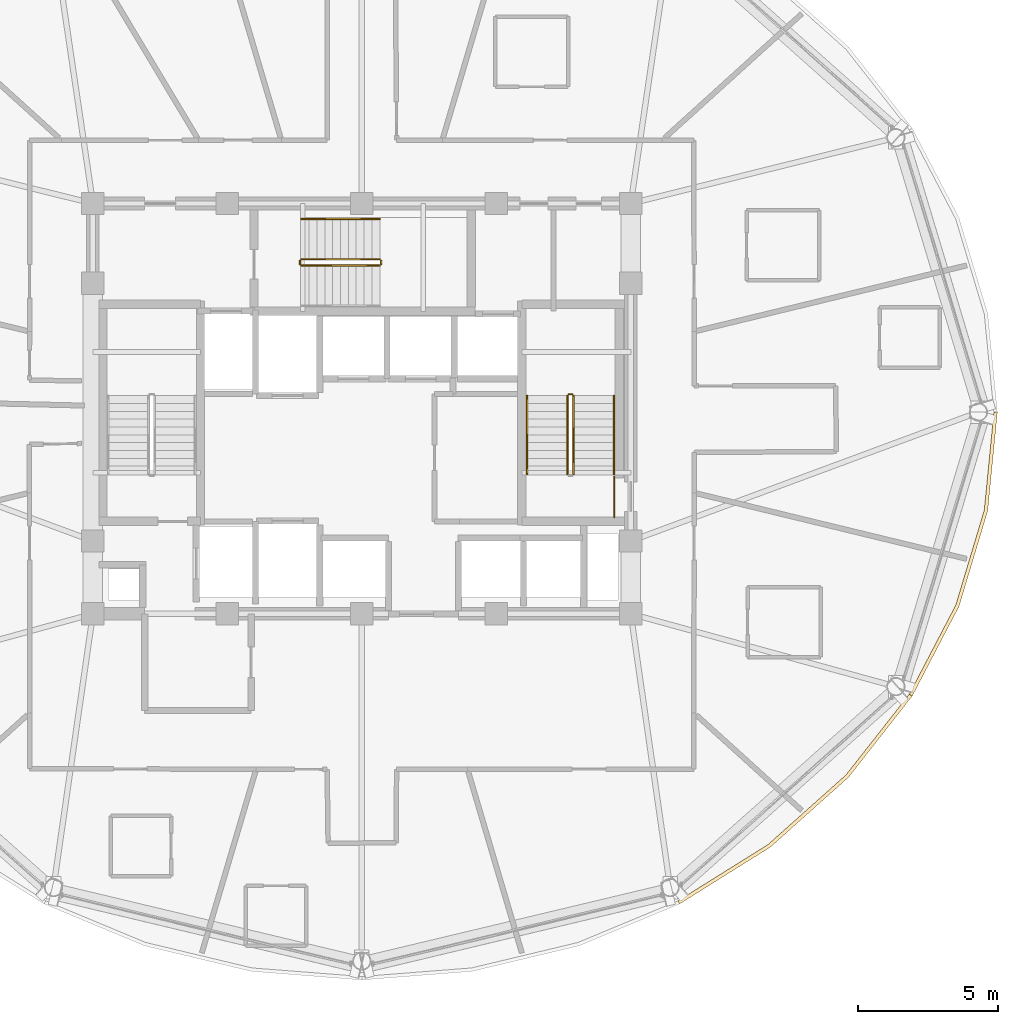
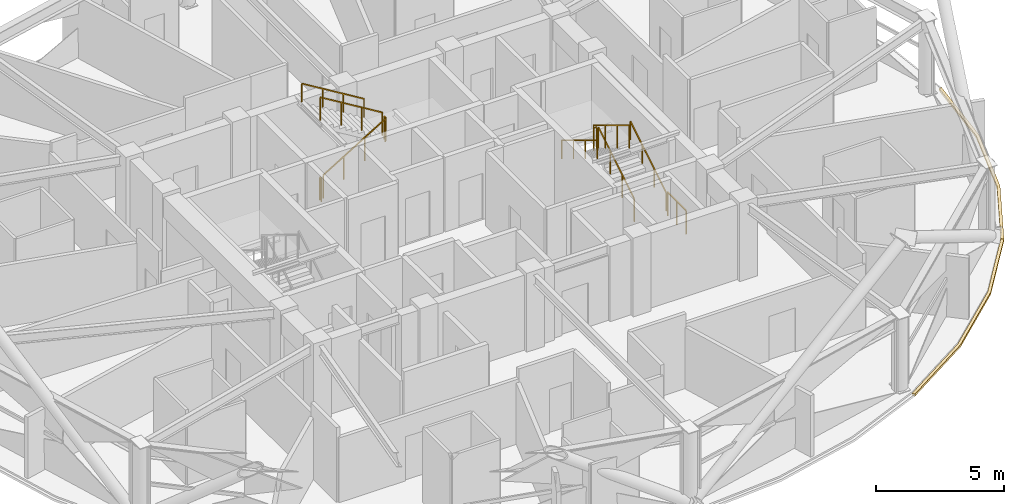
# One storey, part 28 of 29: 11 railings, 2 coverings.
"""IFC4 building model written with IfcOpenShell, lengths in metres."""

from ifc_helpers import new_model, si_unit, direction, frame, origin, origin_2d, place, context, subcontext, project, spatial, polyline, rectangle, outline, extrude, material, layer, layer_set, type_object, element, save


model = new_model("IFC4")

# Units and contexts
model_context = context("Model", 3, precision=1e-05, world=origin(), true_north=direction((0.0, 1.0)))
body_context = subcontext(model_context, "Body", "Model", "MODEL_VIEW")
ifc_project = project(units=[si_unit("LENGTHUNIT", "METRE"), si_unit("AREAUNIT", "SQUARE_METRE"), si_unit("VOLUMEUNIT", "CUBIC_METRE"), si_unit("PLANEANGLEUNIT", "RADIAN"), si_unit("MASSUNIT", "GRAM", prefix="KILO")], contexts=[model_context])

# Site, building, storey
site_placement = place(None, origin())
site = spatial("IfcSite", under=ifc_project, at=site_placement, CompositionType="ELEMENT")
building_placement = place(site_placement, origin())
building = spatial("IfcBuilding", under=site, at=building_placement, Name="Vantalir Tower", CompositionType="ELEMENT")
storey_placement = place(building_placement, frame((0.0, 0.0, 219.89990234375)))
storey = spatial("IfcBuildingStorey", under=building, at=storey_placement, Name="L55", CompositionType="ELEMENT", Elevation=219.89990234375)

# Coverings
ifc_material_1 = material(Name="Anodised champagne aluminium sill fascia", Category="aluminium")
ifc_layer = layer(ifc_material_1, 0.125)
ifc_layer_set = layer_set([ifc_layer], Name="Anodised champagne aluminium sill fascia")
covering_type = type_object("IfcCoveringType", Name="COV-SLAB-FASCIA-125", PredefinedType="CLADDING", material=ifc_layer_set)
covering_1_placement = place(storey_placement, frame((0.0, 0.0, -0.179931640625)))
element("IfcCovering", 1, at=covering_1_placement, inside=storey, type_object=covering_type, Name="L55 Perimeter Slab-Edge Sill Fascia 11", PredefinedType="CLADDING", context=body_context, shape_type="SweptSolid", body=[
    extrude(outline(polyline([(42.843994140625, 7.445068359375), (46.083984375, 9.471923828125), (48.8798828125, 11.969970703125), (51.14794921875, 14.864013671875), (51.0400390625, 14.927001953125), (48.783935546875, 12.050048828125), (46.0029296875, 9.56689453125), (42.781982421875, 7.552978515625), (42.843994140625, 7.445068359375)])), origin(), (0.0, 0.0, 1.0), 0.10498046875),
])
covering_2_placement = place(storey_placement, frame((0.0, 0.0, -0.179931640625)))
element("IfcCovering", 2, at=covering_2_placement, inside=storey, type_object=covering_type, Name="L55 Perimeter Slab-Edge Sill Fascia 12", PredefinedType="CLADDING", context=body_context, shape_type="SweptSolid", body=[
    extrude(outline(polyline([(51.14794921875, 14.864013671875), (52.820068359375, 18.06689453125), (53.843017578125, 21.47998046875), (54.18798828125, 25.0), (54.06298828125, 25.0), (53.719970703125, 21.501953125), (52.701904296875, 18.110107421875), (51.0400390625, 14.927001953125), (51.14794921875, 14.864013671875)])), origin(), (0.0, 0.0, 1.0), 0.10498046875),
])

# Railings
ifc_material_2 = material(Name="Anodised aluminium and stainless steel guard", Category="steel")
railing_type_1 = type_object("IfcRailingType", Name="RAL-GUARD-1120", PredefinedType="GUARDRAIL", material=ifc_material_2)
railing_1_placement = place(storey_placement, frame((39.06005859375, 22.7900390625, 0.170654296875)))
element("IfcRailing", 3, at=railing_1_placement, inside=storey, type_object=railing_type_1, Name="L55 ST2 stair guard 1", PredefinedType="GUARDRAIL", context=body_context, shape_type="SweptSolid", body=[
    extrude(rectangle(XDim=0.048095703125, YDim=0.048095703125, at=origin_2d()), frame((0.0, 0.0, 1.09619140625), z_axis=(0.0, 0.854202870247, 0.519939858505), x_axis=(-1.0, 0.0, 0.0)), (0.0, 0.0, 1.0), 3.278076171875),
    extrude(rectangle(XDim=0.0419921875, YDim=0.0419921875, at=origin_2d()), origin(), (0.0, 0.0, 1.0), 1.072021484375),
    extrude(rectangle(XDim=0.0419921875, YDim=0.0419921875, at=origin_2d()), frame((0.0, 0.933349609375, 0.568115234375)), (0.0, 0.0, 1.0), 1.072021484375),
    extrude(rectangle(XDim=0.0419921875, YDim=0.0419921875, at=origin_2d()), frame((0.0, 1.86669921875, 1.13623046875)), (0.0, 0.0, 1.0), 1.072021484375),
    extrude(rectangle(XDim=0.0419921875, YDim=0.0419921875, at=origin_2d()), frame((0.0, 2.800048828125, 1.704345703125)), (0.0, 0.0, 1.0), 1.072021484375),
])
railing_2_placement = place(storey_placement, frame((39.010009765625, 25.639892578125, 1.875)))
element("IfcRailing", 4, at=railing_2_placement, inside=storey, type_object=railing_type_1, Name="L55 ST2 stair guard 2", PredefinedType="GUARDRAIL", context=body_context, shape_type="SweptSolid", body=[
    extrude(rectangle(XDim=0.048095703125, YDim=0.048095703125, at=origin_2d()), frame((0.0, 0.0, 1.09619140625), z_axis=(-1.0, 0.0, 0.0), x_axis=(0.0, -1.0, 0.0)), (0.0, 0.0, 1.0), 0.1201171875),
    extrude(rectangle(XDim=0.0419921875, YDim=0.0419921875, at=origin_2d()), origin(), (0.0, 0.0, 1.0), 1.072021484375),
    extrude(rectangle(XDim=0.0419921875, YDim=0.0419921875, at=origin_2d()), frame((-0.1201171875, 0.0, 0.0)), (0.0, 0.0, 1.0), 1.072021484375),
])
railing_3_placement = place(storey_placement, frame((38.840087890625, 25.590087890625, 2.045654296875)))
element("IfcRailing", 5, at=railing_3_placement, inside=storey, type_object=railing_type_1, Name="L55 ST2 stair guard 3", PredefinedType="GUARDRAIL", context=body_context, shape_type="SweptSolid", body=[
    extrude(rectangle(XDim=0.048095703125, YDim=0.048095703125, at=origin_2d()), frame((0.0, 0.0, 1.09619140625), z_axis=(0.0, -0.854202870247, 0.519939858505), x_axis=(1.0, 0.0, 0.0)), (0.0, 0.0, 1.0), 3.278076171875),
    extrude(rectangle(XDim=0.0419921875, YDim=0.0419921875, at=origin_2d()), origin(), (0.0, 0.0, 1.0), 1.072021484375),
    extrude(rectangle(XDim=0.0419921875, YDim=0.0419921875, at=origin_2d()), frame((0.0, -0.933349609375, 0.568115234375)), (0.0, 0.0, 1.0), 1.072021484375),
    extrude(rectangle(XDim=0.0419921875, YDim=0.0419921875, at=origin_2d()), frame((0.0, -1.86669921875, 1.13623046875)), (0.0, 0.0, 1.0), 1.072021484375),
    extrude(rectangle(XDim=0.0419921875, YDim=0.0419921875, at=origin_2d()), frame((0.0, -2.800048828125, 1.704345703125)), (0.0, 0.0, 1.0), 1.072021484375),
])
railing_4_placement = place(storey_placement, frame((29.340087890625, 30.239990234375, 0.170654296875)))
element("IfcRailing", 6, at=railing_4_placement, inside=storey, type_object=railing_type_1, Name="L55 ST3 stair guard 1", PredefinedType="GUARDRAIL", context=body_context, shape_type="SweptSolid", body=[
    extrude(rectangle(XDim=0.048095703125, YDim=0.048095703125, at=origin_2d()), frame((0.0, 0.0, 1.09619140625), z_axis=(0.854182733786, 0.0, 0.519972939009), x_axis=(0.0, 1.0, 0.0)), (0.0, 0.0, 1.0), 3.27783203125),
    extrude(rectangle(XDim=0.0419921875, YDim=0.0419921875, at=origin_2d()), origin(), (0.0, 0.0, 1.0), 1.072021484375),
    extrude(rectangle(XDim=0.0419921875, YDim=0.0419921875, at=origin_2d()), frame((0.933349609375, 0.0, 0.568115234375)), (0.0, 0.0, 1.0), 1.072021484375),
    extrude(rectangle(XDim=0.0419921875, YDim=0.0419921875, at=origin_2d()), frame((1.866455078125, 0.0, 1.13623046875)), (0.0, 0.0, 1.0), 1.072021484375),
    extrude(rectangle(XDim=0.0419921875, YDim=0.0419921875, at=origin_2d()), frame((2.7998046875, 0.0, 1.704345703125)), (0.0, 0.0, 1.0), 1.072021484375),
])
railing_5_placement = place(storey_placement, frame((32.18994140625, 30.2900390625, 1.875)))
element("IfcRailing", 7, at=railing_5_placement, inside=storey, type_object=railing_type_1, Name="L55 ST3 stair guard 2", PredefinedType="GUARDRAIL", context=body_context, shape_type="SweptSolid", body=[
    extrude(rectangle(XDim=0.048095703125, YDim=0.048095703125, at=origin_2d()), frame((0.0, 0.0, 1.09619140625), z_axis=(0.0, 1.0, 0.0), x_axis=(-1.0, 0.0, 0.0)), (0.0, 0.0, 1.0), 0.119873046875),
    extrude(rectangle(XDim=0.0419921875, YDim=0.0419921875, at=origin_2d()), origin(), (0.0, 0.0, 1.0), 1.072021484375),
    extrude(rectangle(XDim=0.0419921875, YDim=0.0419921875, at=origin_2d()), frame((0.0, 0.119873046875, 0.0)), (0.0, 0.0, 1.0), 1.072021484375),
])
railing_6_placement = place(storey_placement, frame((32.139892578125, 30.4599609375, 2.045654296875)))
element("IfcRailing", 8, at=railing_6_placement, inside=storey, type_object=railing_type_1, Name="L55 ST3 stair guard 3", PredefinedType="GUARDRAIL", context=body_context, shape_type="SweptSolid", body=[
    extrude(rectangle(XDim=0.048095703125, YDim=0.048095703125, at=origin_2d()), frame((0.0, 0.0, 1.09619140625), z_axis=(-0.854182733786, 0.0, 0.519972939009), x_axis=(0.0, -1.0, 0.0)), (0.0, 0.0, 1.0), 3.27783203125),
    extrude(rectangle(XDim=0.0419921875, YDim=0.0419921875, at=origin_2d()), origin(), (0.0, 0.0, 1.0), 1.072021484375),
    extrude(rectangle(XDim=0.0419921875, YDim=0.0419921875, at=origin_2d()), frame((-0.933349609375, 0.0, 0.568115234375)), (0.0, 0.0, 1.0), 1.072021484375),
    extrude(rectangle(XDim=0.0419921875, YDim=0.0419921875, at=origin_2d()), frame((-1.866455078125, 0.0, 1.13623046875)), (0.0, 0.0, 1.0), 1.072021484375),
    extrude(rectangle(XDim=0.0419921875, YDim=0.0419921875, at=origin_2d()), frame((-2.7998046875, 0.0, 1.704345703125)), (0.0, 0.0, 1.0), 1.072021484375),
])
railing_7_placement = place(storey_placement, frame((29.2900390625, 30.2900390625, 0.0)))
element("IfcRailing", 9, at=railing_7_placement, inside=storey, type_object=railing_type_1, Name="L55 ST3 stair guard 4", PredefinedType="GUARDRAIL", context=body_context, shape_type="SweptSolid", body=[
    extrude(rectangle(XDim=0.048095703125, YDim=0.048095703125, at=origin_2d()), frame((0.0, 0.0, 1.09619140625), z_axis=(0.0, 1.0, 0.0), x_axis=(-1.0, 0.0, 0.0)), (0.0, 0.0, 1.0), 0.119873046875),
    extrude(rectangle(XDim=0.0419921875, YDim=0.0419921875, at=origin_2d()), origin(), (0.0, 0.0, 1.0), 1.072021484375),
    extrude(rectangle(XDim=0.0419921875, YDim=0.0419921875, at=origin_2d()), frame((0.0, 0.119873046875, 0.0)), (0.0, 0.0, 1.0), 1.072021484375),
])
railing_8_placement = place(storey_placement, frame((40.510009765625, 21.260009765625, 0.0)))
element("IfcRailing", 10, at=railing_8_placement, inside=storey, type_object=railing_type_1, Name="L55 Stair ST2 Doorway Landing Guard", PredefinedType="GUARDRAIL", context=body_context, shape_type="SweptSolid", body=[
    extrude(rectangle(XDim=0.048095703125, YDim=0.048095703125, at=origin_2d()), frame((0.0, 0.0, 1.1259765625), z_axis=(0.0, 1.0, 0.0), x_axis=(-1.0, 0.0, 0.0)), (0.0, 0.0, 1.0), 1.43994140625),
    extrude(rectangle(XDim=0.0419921875, YDim=0.0419921875, at=origin_2d()), origin(), (0.0, 0.0, 1.0), 1.101806640625),
    extrude(rectangle(XDim=0.0419921875, YDim=0.0419921875, at=origin_2d()), frame((0.0, 0.719970703125, 0.0)), (0.0, 0.0, 1.0), 1.101806640625),
    extrude(rectangle(XDim=0.0419921875, YDim=0.0419921875, at=origin_2d()), frame((0.0, 1.43994140625, 0.0)), (0.0, 0.0, 1.0), 1.101806640625),
])
ifc_material_3 = material(Name="Brushed stainless steel tubular handrail", Category="steel")
railing_type_2 = type_object("IfcRailingType", Name="RAL-HANDRAIL-900", PredefinedType="HANDRAIL", material=ifc_material_3)
railing_9_placement = place(storey_placement, frame((40.5, 22.7900390625, 0.170654296875)))
element("IfcRailing", 11, at=railing_9_placement, inside=storey, type_object=railing_type_2, Name="L55 ST2 stair handrail 1", PredefinedType="HANDRAIL", context=body_context, shape_type="SweptSolid", body=[
    extrude(rectangle(XDim=0.048095703125, YDim=0.048095703125, at=origin_2d()), frame((0.0, 0.0, 0.8759765625), z_axis=(0.0, 0.854202870247, 0.519939858505), x_axis=(-1.0, 0.0, 0.0)), (0.0, 0.0, 1.0), 3.278076171875),
    extrude(rectangle(XDim=0.0419921875, YDim=0.0419921875, at=origin_2d()), origin(), (0.0, 0.0, 1.0), 0.851806640625),
    extrude(rectangle(XDim=0.0419921875, YDim=0.0419921875, at=origin_2d()), frame((0.0, 0.933349609375, 0.568115234375)), (0.0, 0.0, 1.0), 0.851806640625),
    extrude(rectangle(XDim=0.0419921875, YDim=0.0419921875, at=origin_2d()), frame((0.0, 1.86669921875, 1.13623046875)), (0.0, 0.0, 1.0), 0.851806640625),
    extrude(rectangle(XDim=0.0419921875, YDim=0.0419921875, at=origin_2d()), frame((0.0, 2.800048828125, 1.704345703125)), (0.0, 0.0, 1.0), 0.851806640625),
])
railing_10_placement = place(storey_placement, frame((37.39990234375, 25.590087890625, 2.045654296875)))
element("IfcRailing", 12, at=railing_10_placement, inside=storey, type_object=railing_type_2, Name="L55 ST2 stair handrail 2", PredefinedType="HANDRAIL", context=body_context, shape_type="SweptSolid", body=[
    extrude(rectangle(XDim=0.048095703125, YDim=0.048095703125, at=origin_2d()), frame((0.0, 0.0, 0.8759765625), z_axis=(0.0, -0.854202870247, 0.519939858505), x_axis=(1.0, 0.0, 0.0)), (0.0, 0.0, 1.0), 3.278076171875),
    extrude(rectangle(XDim=0.0419921875, YDim=0.0419921875, at=origin_2d()), origin(), (0.0, 0.0, 1.0), 0.851806640625),
    extrude(rectangle(XDim=0.0419921875, YDim=0.0419921875, at=origin_2d()), frame((0.0, -0.933349609375, 0.568115234375)), (0.0, 0.0, 1.0), 0.851806640625),
    extrude(rectangle(XDim=0.0419921875, YDim=0.0419921875, at=origin_2d()), frame((0.0, -1.86669921875, 1.13623046875)), (0.0, 0.0, 1.0), 0.851806640625),
    extrude(rectangle(XDim=0.0419921875, YDim=0.0419921875, at=origin_2d()), frame((0.0, -2.800048828125, 1.704345703125)), (0.0, 0.0, 1.0), 0.851806640625),
])
railing_11_placement = place(storey_placement, frame((32.139892578125, 31.89990234375, 2.045654296875)))
element("IfcRailing", 13, at=railing_11_placement, inside=storey, type_object=railing_type_2, Name="L55 ST3 stair handrail 2", PredefinedType="HANDRAIL", context=body_context, shape_type="SweptSolid", body=[
    extrude(rectangle(XDim=0.048095703125, YDim=0.048095703125, at=origin_2d()), frame((0.0, 0.0, 0.8759765625), z_axis=(-0.854182733786, 0.0, 0.519972939009), x_axis=(0.0, -1.0, 0.0)), (0.0, 0.0, 1.0), 3.27783203125),
    extrude(rectangle(XDim=0.0419921875, YDim=0.0419921875, at=origin_2d()), origin(), (0.0, 0.0, 1.0), 0.851806640625),
    extrude(rectangle(XDim=0.0419921875, YDim=0.0419921875, at=origin_2d()), frame((-0.933349609375, 0.0, 0.568115234375)), (0.0, 0.0, 1.0), 0.851806640625),
    extrude(rectangle(XDim=0.0419921875, YDim=0.0419921875, at=origin_2d()), frame((-1.866455078125, 0.0, 1.13623046875)), (0.0, 0.0, 1.0), 0.851806640625),
    extrude(rectangle(XDim=0.0419921875, YDim=0.0419921875, at=origin_2d()), frame((-2.7998046875, 0.0, 1.704345703125)), (0.0, 0.0, 1.0), 0.851806640625),
])

save(model, "model.ifc")
